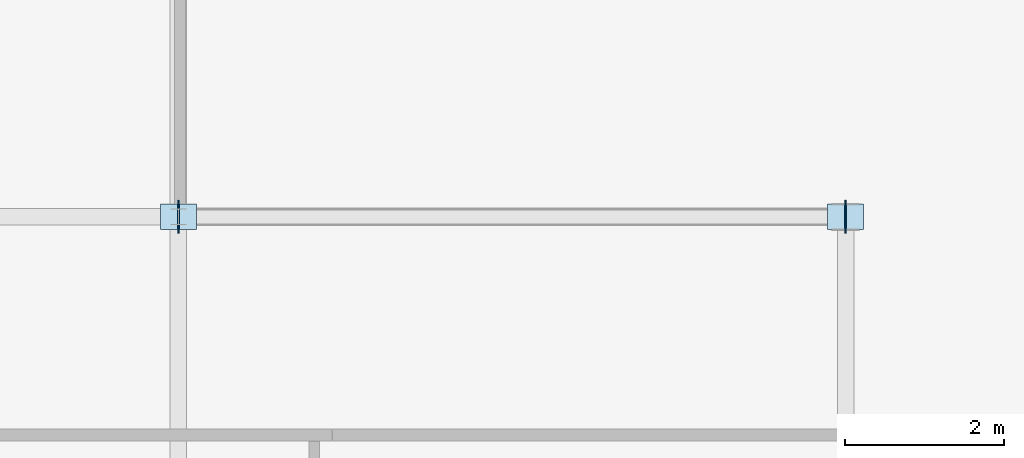
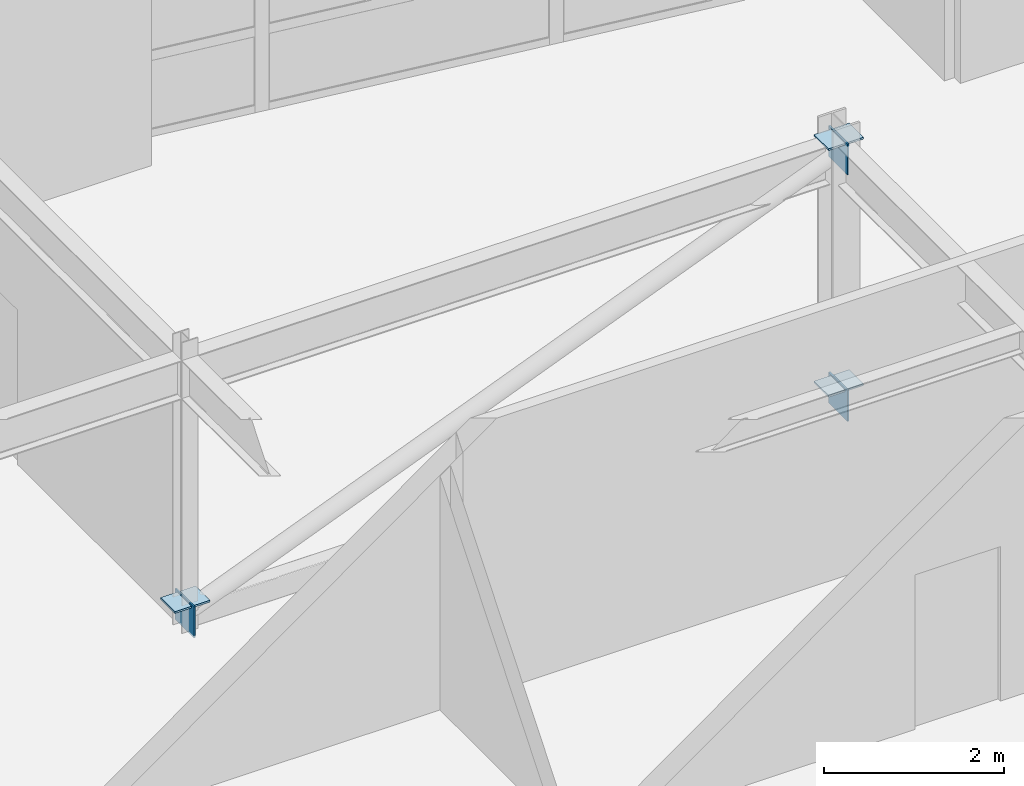
# One storey, part 10 of 16: 6 plates.
"""IFC4 building model written with IfcOpenShell, lengths in metres."""

from ifc_helpers import new_model, si_unit, direction, frame, origin, origin_2d, place, context, subcontext, project, spatial, rectangle, extrude, material, layer, layer_set, type_object, element, save


model = new_model("IFC4")

# Units and contexts
model_context = context("Model", 3, precision=1e-05, world=origin(), true_north=direction((0.0, 1.0)))
body_context = subcontext(model_context, "Body", "Model", "MODEL_VIEW")
ifc_project = project(units=[si_unit("LENGTHUNIT", "METRE"), si_unit("AREAUNIT", "SQUARE_METRE"), si_unit("VOLUMEUNIT", "CUBIC_METRE"), si_unit("PLANEANGLEUNIT", "RADIAN"), si_unit("MASSUNIT", "GRAM", prefix="KILO")], contexts=[model_context])

# Site, building, storey
site_placement = place(None, origin())
site = spatial("IfcSite", under=ifc_project, at=site_placement, CompositionType="ELEMENT")
building_placement = place(site_placement, origin())
building = spatial("IfcBuilding", under=site, at=building_placement, Name="Varnakote Quay Hospital", CompositionType="ELEMENT")
storey_placement = place(building_placement, frame((0.0, 0.0, 288.14990234375)))
storey = spatial("IfcBuildingStorey", under=building, at=storey_placement, Name="L71", CompositionType="ELEMENT", Elevation=288.14990234375)

# Plates
ifc_material_1 = material(Name="Structural steel AS/NZS 3678 Grade 350 (fy 340 MPa)", Category="steel")
ifc_layer_1 = layer(ifc_material_1, 0.02001953125)
ifc_layer_set_1 = layer_set([ifc_layer_1], Name="Structural steel AS/NZS 3678 Grade 350 (fy 340 MPa)")
plate_type_1 = type_object("IfcPlateType", Name="PLT-ENDCAP-420x420x20", PredefinedType="USERDEFINED", material=ifc_layer_set_1)
for number, where, z_axis, x_axis, name in (
    (1, (25.199951171875, 20.39990234375, -0.02978515625), (0.0, 0.0, 1.0), (1.0, 0.0, 0.0), "L71 Hollow Section Sealed End Cap Plate"),
    (2, (33.60009765625, 20.39990234375, -0.02978515625), (0.0, 0.0, 1.0), (1.0, 0.0, 0.0), "L71 Hollow Section Sealed End Cap Plate"),
    (3, (33.60009765625, 20.39990234375, 3.320068359375), (0.0, 0.0, 1.0), (1.0, 0.0, 0.0), "L71 Hollow Section Sealed End Cap Plate"),
):
    element("IfcPlate", number, at=place(storey_placement, frame(where, z_axis=z_axis, x_axis=x_axis)), inside=storey, type_object=plate_type_1, Name=name, ObjectType="END_CAP_PLATE", PredefinedType="USERDEFINED", context=body_context, shape_type="SweptSolid", body=[
        extrude(rectangle(XDim=0.02001953125, YDim=0.419921875, at=origin_2d()), origin(), (0.0, 0.0, 1.0), 0.419921875),
    ])
ifc_material_2 = material(Name="Structural steel AS/NZS 3678 Grade 350 (fy 340 MPa)", Category="steel")
ifc_layer_2 = layer(ifc_material_2, 0.02490234375)
ifc_layer_set_2 = layer_set([ifc_layer_2], Name="Structural steel AS/NZS 3678 Grade 350 (fy 340 MPa)")
plate_type_2 = type_object("IfcPlateType", Name="PLT-GUSSET-450x320x25", PredefinedType="USERDEFINED", material=ifc_layer_set_2)
for number, where, z_axis, x_axis, name in (
    (4, (25.199951171875, 20.39990234375, 0.34765625), (0.0, 0.0, 1.0), (1.0, 0.0, 0.0), "L71 Truss Concentric Node Gusset Plate"),
    (5, (33.60009765625, 20.39990234375, 0.34765625), (0.0, 0.0, 1.0), (1.0, 0.0, 0.0), "L71 Truss Concentric Node Gusset Plate"),
    (6, (33.60009765625, 20.39990234375, 3.69775390625), (0.0, 0.0, 1.0), (1.0, 0.0, 0.0), "L71 Truss Concentric Node Gusset Plate"),
):
    element("IfcPlate", number, at=place(storey_placement, frame(where, z_axis=z_axis, x_axis=x_axis)), inside=storey, type_object=plate_type_2, Name=name, ObjectType="GUSSET_PLATE", PredefinedType="USERDEFINED", context=body_context, shape_type="SweptSolid", body=[
        extrude(rectangle(XDim=0.449951171875, YDim=0.320068359375, at=origin_2d()), origin(), (0.0, 0.0, 1.0), 0.02490234375),
    ])

save(model, "model.ifc")
